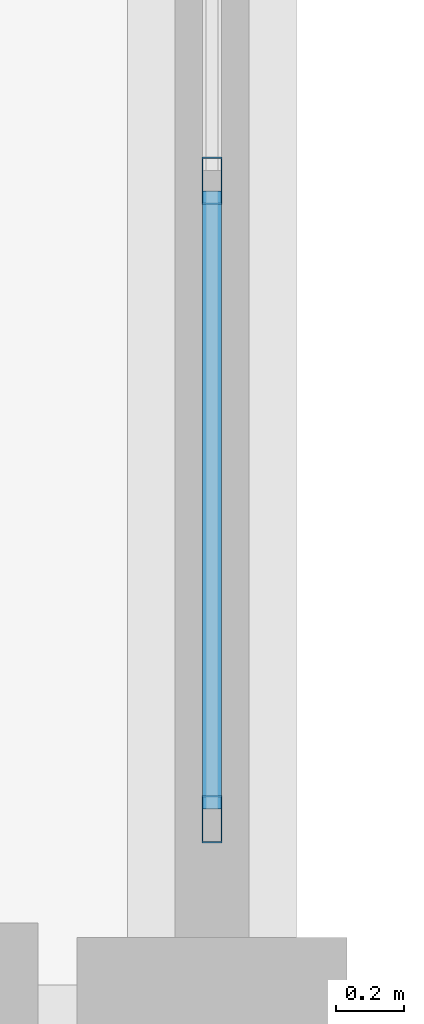
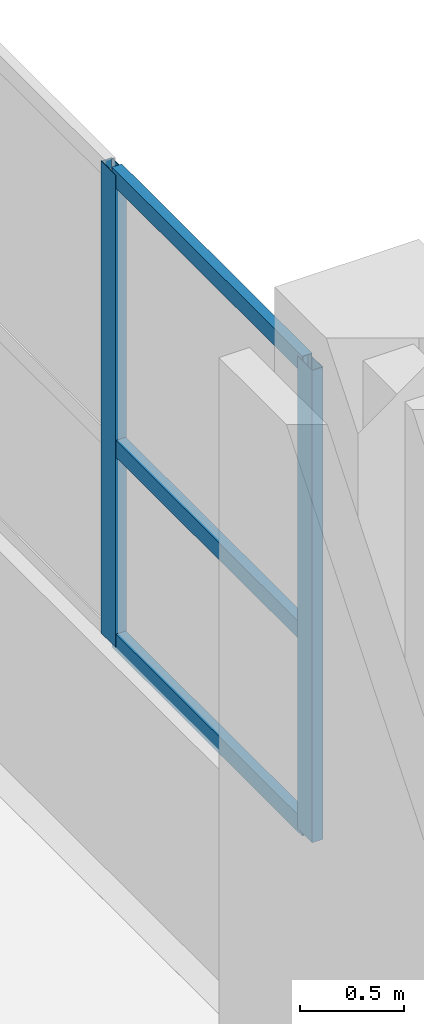
# One storey, part 18 of 140: 5 members, 1 element without a shape of its own.
"""IFC4 building model written with IfcOpenShell, lengths in metres."""

from ifc_helpers import new_model, si_unit, direction, frame, origin, origin_2d, place, context, subcontext, project, spatial, hollow_rectangle, extrude, material, layer, layer_set, material_profile, profile_set, type_object, element, aggregate, save


model = new_model("IFC4")

# Units and contexts
model_context = context("Model", 3, precision=1e-05, world=origin(), true_north=direction((0.0, 1.0)))
body_context = subcontext(model_context, "Body", "Model", "MODEL_VIEW")
ifc_project = project(units=[si_unit("LENGTHUNIT", "METRE"), si_unit("AREAUNIT", "SQUARE_METRE"), si_unit("VOLUMEUNIT", "CUBIC_METRE"), si_unit("PLANEANGLEUNIT", "RADIAN"), si_unit("MASSUNIT", "GRAM", prefix="KILO")], contexts=[model_context])

# Site, building, storey
site_placement = place(None, origin())
site = spatial("IfcSite", under=ifc_project, at=site_placement, CompositionType="ELEMENT")
building_placement = place(site_placement, origin())
building = spatial("IfcBuilding", under=site, at=building_placement, Name="Seraya Terrace Polytechnic", CompositionType="ELEMENT")
storey_placement = place(building_placement, frame((0.0, 0.0, 9.60009765625)))
storey = spatial("IfcBuildingStorey", under=building, at=storey_placement, Name="L02", CompositionType="ELEMENT", Elevation=9.60009765625)

# Curtain wall, members
ifc_material = material(Name="Anodised aluminium EN AW-6063 T6", Category="aluminium")
ifc_layer = layer(ifc_material, 0.179931640625, Name="CW-15")
ifc_layer_set = layer_set([ifc_layer], Name="Anodised aluminium EN AW-6063 T6")
curtain_wall_type = type_object("IfcCurtainWallType", Name="CW-15", PredefinedType="NOTDEFINED", material=ifc_layer_set)
curtain_wall_placement = place(storey_placement, origin())
curtain_wall = element("IfcCurtainWall", 1, at=curtain_wall_placement, inside=storey, type_object=curtain_wall_type, Name="Unitised curtain wall CW-15 (CW-L02-087)", PredefinedType="NOTDEFINED")
ifc_material_profile_1 = material_profile(ifc_material, hollow_rectangle(XDim=0.06005859375, YDim=0.139892578125, WallThickness=0.00341796875, at=origin_2d()), Name="RHS 140x60x3.5")
ifc_profile_set_1 = profile_set([ifc_material_profile_1], Name="Anodised aluminium EN AW-6063 T6")
member_type_1 = type_object("IfcMemberType", Name="CWM-03", PredefinedType="MULLION", material=ifc_profile_set_1)
member_1_placement = place(storey_placement, frame((43.199951171875, 38.639892578125, 1.239990234375), z_axis=(0.0, 0.0, 1.0), x_axis=(1.0, 0.0, 0.0)))
member_1 = element("IfcMember", 2, at=member_1_placement, type_object=member_type_1, Name="CW-15 mullion 3", PredefinedType="MULLION", context=body_context, shape_type="SweptSolid", body=[
    extrude(hollow_rectangle(XDim=0.06005859375, YDim=0.139892578125, WallThickness=0.00341796875, at=origin_2d()), origin(), (0.0, 0.0, 1.0), 2.77001953125),
])
member_2_placement = place(storey_placement, frame((43.199951171875, 36.75, 1.239990234375), z_axis=(0.0, 0.0, 1.0), x_axis=(1.0, 0.0, 0.0)))
member_2 = element("IfcMember", 3, at=member_2_placement, type_object=member_type_1, Name="CW-15 mullion 4", PredefinedType="MULLION", context=body_context, shape_type="SweptSolid", body=[
    extrude(hollow_rectangle(XDim=0.06005859375, YDim=0.139892578125, WallThickness=0.00341796875, at=origin_2d()), origin(), (0.0, 0.0, 1.0), 2.77001953125),
])
ifc_material_profile_2 = material_profile(ifc_material, hollow_rectangle(XDim=0.054931640625, YDim=0.10009765625, WallThickness=0.0029296875, at=origin_2d()), Name="RHS 100x55x3.0")
ifc_profile_set_2 = profile_set([ifc_material_profile_2], Name="Anodised aluminium EN AW-6063 T6")
member_type_2 = type_object("IfcMemberType", Name="CWT-03", PredefinedType="USERDEFINED", material=ifc_profile_set_2)
member_3_placement = place(storey_placement, frame((43.199951171875, 38.610107421875, 1.267333984375), z_axis=(0.0, -1.0, 0.0), x_axis=(1.0, 0.0, 0.0)))
member_3 = element("IfcMember", 4, at=member_3_placement, type_object=member_type_2, Name="CW-15 transom 3.1", ObjectType="TRANSOM", PredefinedType="USERDEFINED", context=body_context, shape_type="SweptSolid", body=[
    extrude(hollow_rectangle(XDim=0.054931640625, YDim=0.10009765625, WallThickness=0.0029296875, at=origin_2d()), origin(), (0.0, 0.0, 1.0), 1.830078125),
])
member_4_placement = place(storey_placement, frame((43.199951171875, 38.610107421875, 2.4033203125), z_axis=(0.0, -1.0, 0.0), x_axis=(1.0, 0.0, 0.0)))
member_4 = element("IfcMember", 5, at=member_4_placement, type_object=member_type_2, Name="CW-15 transom 3.2", ObjectType="TRANSOM", PredefinedType="USERDEFINED", context=body_context, shape_type="SweptSolid", body=[
    extrude(hollow_rectangle(XDim=0.054931640625, YDim=0.10009765625, WallThickness=0.0029296875, at=origin_2d()), origin(), (0.0, 0.0, 1.0), 1.830078125),
])
member_5_placement = place(storey_placement, frame((43.199951171875, 38.610107421875, 3.982421875), z_axis=(0.0, -1.0, 0.0), x_axis=(1.0, 0.0, 0.0)))
member_5 = element("IfcMember", 6, at=member_5_placement, type_object=member_type_2, Name="CW-15 transom 3.3", ObjectType="TRANSOM", PredefinedType="USERDEFINED", context=body_context, shape_type="SweptSolid", body=[
    extrude(hollow_rectangle(XDim=0.054931640625, YDim=0.10009765625, WallThickness=0.0029296875, at=origin_2d()), origin(), (0.0, 0.0, 1.0), 1.830078125),
])
aggregate(curtain_wall, [member_1, member_2, member_3, member_4, member_5])

save(model, "model.ifc")
